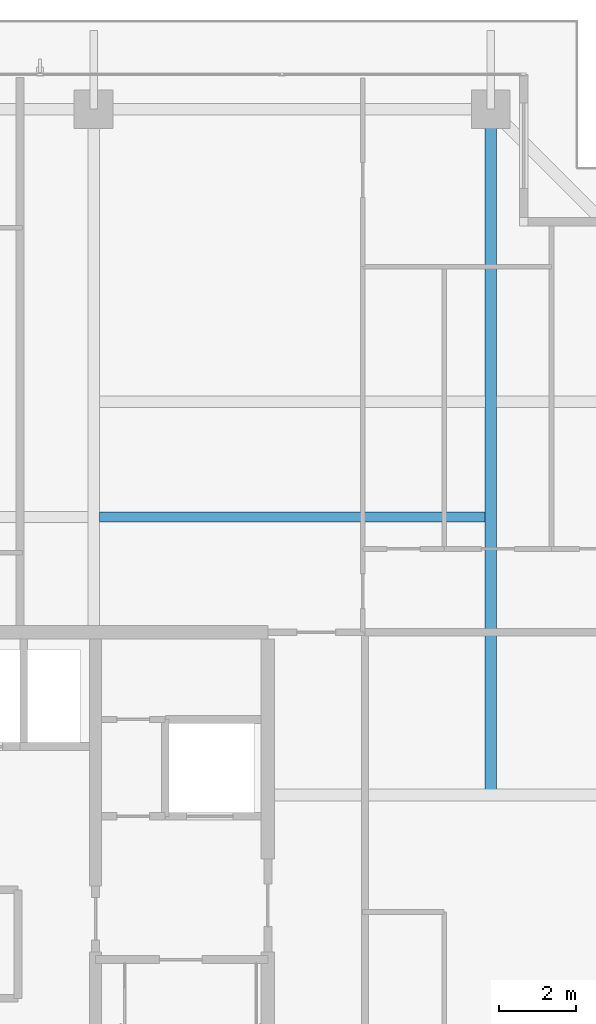
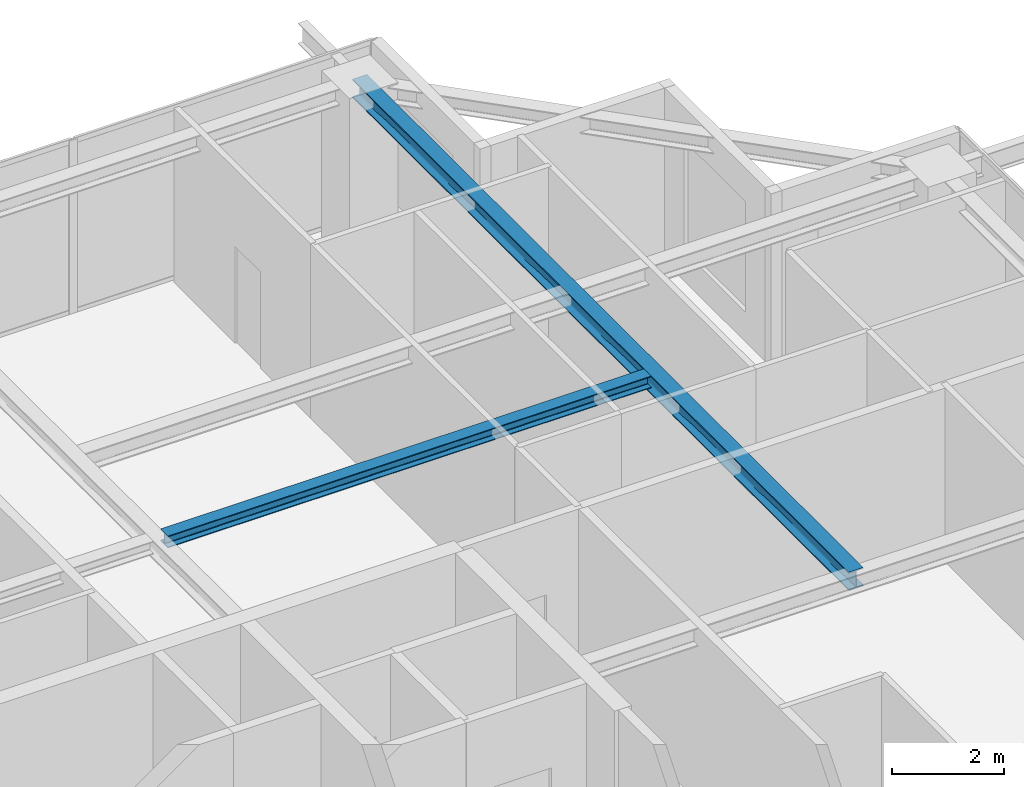
# One storey, part 24 of 41: 2 beams.
"""IFC4 building model written with IfcOpenShell, lengths in metres."""

import ifcopenshell
import ifcopenshell.guid

model = None  # the IFC model being written
_history = None  # IfcOwnerHistory: only IFC2X3 demands one
_inside = {}  # id of a spatial element -> (the spatial element, [elements in it])
_under = {}  # id of a project, library or spatial element -> (it, [spatial elements below it])
_declared = {}  # id of a project -> (the project, [libraries it declares])
_typed = {}  # id of a type object -> (the type object, [elements of that type])
_made_of = {}  # id of a material, layer set ... -> (it, [elements and type objects made of it])


def new_model(schema):
    """Start an empty IFC model of exactly this schema.

    Asked for "IFC4X3", IfcOpenShell would pick the latest addendum, in which some entities
    have other attributes; the version numbers below select the first issue.
    IFC2X3 requires an IfcOwnerHistory on every rooted entity: one is made here for all.
    """
    global model, _history
    if schema == "IFC4X3":
        model = ifcopenshell.file(schema_version=(4, 3, 0, 0))
    else:
        model = ifcopenshell.file(schema=schema)
    _inside.clear()
    _under.clear()
    _declared.clear()
    _typed.clear()
    _made_of.clear()
    _history = None
    if model.schema == "IFC2X3":
        org = make("IfcOrganization", Name="unknown")
        user = make(
            "IfcPersonAndOrganization",
            ThePerson=make("IfcPerson", FamilyName="unknown"),
            TheOrganization=org,
        )
        app = make(
            "IfcApplication",
            ApplicationDeveloper=org,
            Version="unknown",
            ApplicationFullName="unknown",
            ApplicationIdentifier="unknown",
        )
        _history = make(
            "IfcOwnerHistory",
            OwningUser=user,
            OwningApplication=app,
            ChangeAction="ADDED",
            CreationDate=0,
        )
    return model


def make(cls, **values):
    """One entity of the class cls with the attributes given. An attribute that is None is left unset."""
    return model.create_entity(
        cls, **{name: value for name, value in values.items() if value is not None}
    )


def rooted(cls, **values):
    """An entity with a GlobalId (a new one), such as an element, a storey or a relation."""
    return make(cls, GlobalId=ifcopenshell.guid.new(), OwnerHistory=_history, **values)


def si_unit(unit_type, name, prefix=None):
    """IfcSIUnit, for example si_unit("LENGTHUNIT", "METRE", prefix="MILLI")."""
    return make("IfcSIUnit", UnitType=unit_type, Prefix=prefix, Name=name)


def assignment(units):
    """IfcUnitAssignment: the units of a project."""
    return None if units is None else make("IfcUnitAssignment", Units=units)


def point(xyz):
    """IfcCartesianPoint."""
    return None if xyz is None else make("IfcCartesianPoint", Coordinates=xyz)


def direction(xyz):
    """IfcDirection."""
    return None if xyz is None else make("IfcDirection", DirectionRatios=xyz)


def frame(location, z_axis=None, x_axis=None):
    """IfcAxis2Placement3D, a coordinate frame: its origin and axes. An axis left out is left unset."""
    return make(
        "IfcAxis2Placement3D",
        Location=point(location),
        Axis=direction(z_axis),
        RefDirection=direction(x_axis),
    )


def frame_2d(location, x_axis=None):
    """IfcAxis2Placement2D, a coordinate frame in the plane: its origin and x axis."""
    return make(
        "IfcAxis2Placement2D", Location=point(location), RefDirection=direction(x_axis)
    )


def origin():
    """The frame at (0, 0, 0) with its axes left unset."""
    return frame((0.0, 0.0, 0.0))


def origin_2d():
    """The frame at (0, 0) in the plane with its x axis left unset."""
    return frame_2d((0.0, 0.0))


def place(relative_to, where):
    """IfcLocalPlacement: puts the frame where relative to a parent placement (None: the world)."""
    return make(
        "IfcLocalPlacement", PlacementRelTo=relative_to, RelativePlacement=where
    )


def context(
    kind, dimensions, precision=None, world=None, true_north=None, identifier=None
):
    """IfcGeometricRepresentationContext, for example the 3D "Model" context."""
    return make(
        "IfcGeometricRepresentationContext",
        ContextIdentifier=identifier,
        ContextType=kind,
        CoordinateSpaceDimension=dimensions,
        Precision=precision,
        WorldCoordinateSystem=world,
        TrueNorth=true_north,
    )


def subcontext(parent, identifier, kind, view, scale=None):
    """IfcGeometricRepresentationSubContext, for example "Body" below "Model"."""
    return make(
        "IfcGeometricRepresentationSubContext",
        ContextIdentifier=identifier,
        ContextType=kind,
        ParentContext=parent,
        TargetScale=scale,
        TargetView=view,
    )


def project(units=None, contexts=None):
    """IfcProject with its units and contexts."""
    return rooted(
        "IfcProject",
        Name="project",
        RepresentationContexts=contexts,
        UnitsInContext=assignment(units),
    )


def spatial(cls, under=None, at=None, **own):
    """A site, building, storey or space (cls), placed at a placement, below another one or the project."""
    s = rooted(cls, ObjectPlacement=at, **own)
    if under is not None:
        _under.setdefault(under.id(), (under, []))[1].append(s)
    return s


def profile(cls, at=None, kind="AREA", **sizes):
    """A parametric profile (cls). Its sizes go by their IFC names, for example OverallWidth=200.0."""
    return make(cls, ProfileType=kind, Position=at, **sizes)


def i_section(**sizes):
    """IfcIShapeProfileDef."""
    return profile("IfcIShapeProfileDef", **sizes)


def extrude(swept, where, along, depth):
    """IfcExtrudedAreaSolid: the profile swept, set in the frame where, extruded along a direction by depth."""
    return make(
        "IfcExtrudedAreaSolid",
        SweptArea=swept,
        Position=where,
        ExtrudedDirection=direction(along),
        Depth=depth,
    )


def shape(context_of_items, identifier, shape_type, items):
    """IfcShapeRepresentation: the items that make up one representation, for example the "Body"."""
    return make(
        "IfcShapeRepresentation",
        ContextOfItems=context_of_items,
        RepresentationIdentifier=identifier,
        RepresentationType=shape_type,
        Items=items,
    )


def source(mapping_origin, context_of_items, identifier, shape_type, items):
    """IfcRepresentationMap: a shape defined once, which mapped items show again and again."""
    return make(
        "IfcRepresentationMap",
        MappingOrigin=mapping_origin,
        MappedRepresentation=shape(context_of_items, identifier, shape_type, items),
    )


def transform(
    local_origin,
    x_axis=None,
    y_axis=None,
    z_axis=None,
    scale=None,
    scale2=None,
    scale3=None,
    uniform=True,
):
    """IfcCartesianTransformationOperator3D, or its non-uniform kind. x_axis, y_axis, z_axis: its Axis1, 2, 3."""
    if uniform:
        return make(
            "IfcCartesianTransformationOperator3D",
            Axis1=direction(x_axis),
            Axis2=direction(y_axis),
            LocalOrigin=point(local_origin),
            Scale=scale,
            Axis3=direction(z_axis),
        )
    return make(
        "IfcCartesianTransformationOperator3DnonUniform",
        Axis1=direction(x_axis),
        Axis2=direction(y_axis),
        LocalOrigin=point(local_origin),
        Scale=scale,
        Axis3=direction(z_axis),
        Scale2=scale2,
        Scale3=scale3,
    )


def mapped(mapping_source, mapping_target):
    """IfcMappedItem: shows the shape of a source again, moved by a transform."""
    return make(
        "IfcMappedItem", MappingSource=mapping_source, MappingTarget=mapping_target
    )


def material(Name=None, Category=None):
    """IfcMaterial."""
    return make("IfcMaterial", Name=Name, Category=Category)


def material_profile(
    of_material, cross_section, Name=None, Category=None, Priority=None
):
    """IfcMaterialProfile: a cross section and its material."""
    return make(
        "IfcMaterialProfile",
        Name=Name,
        Material=of_material,
        Profile=cross_section,
        Priority=Priority,
        Category=Category,
    )


def profile_set(profiles, Name=None, composite=None):
    """IfcMaterialProfileSet."""
    return make(
        "IfcMaterialProfileSet",
        Name=Name,
        MaterialProfiles=profiles,
        CompositeProfile=composite,
    )


def made_of(thing, what):
    """Note that an element or type object is made of a material, layer set ...; save() writes the relation."""
    if what is not None:
        _made_of.setdefault(what.id(), (what, []))[1].append(thing)
    return thing


def type_object(cls, material=None, **own):
    """A type object (cls), such as IfcWallType, which elements share."""
    return made_of(rooted(cls, **own), material)


def element(
    cls,
    number,
    at=None,
    inside=None,
    cuts=None,
    type_object=None,
    material=None,
    context=None,
    identifier="Body",
    shape_type=None,
    held_by="IfcProductDefinitionShape",
    body=None,
    shapes=None,
    **own,
):
    """One element of the class cls, such as IfcWall. Its Tag is "e" and its number.

    at: its placement. inside: the storey or other place that contains it. cuts: it is an
    opening in that element (IfcRelVoidsElement). A single representation is given by context,
    identifier, shape_type and body (its items); several are given by shapes. held_by: the class
    of the entity that holds the representations. save() writes the other relations.
    """
    e = rooted(cls, Tag="e%d" % number, ObjectPlacement=at, **own)
    if body is not None:
        shapes = [shape(context, identifier, shape_type, body)]
    if shapes is not None:
        e.Representation = make(held_by, Representations=shapes)
    if inside is not None:
        _inside.setdefault(inside.id(), (inside, []))[1].append(e)
    if cuts is not None:
        rooted(
            "IfcRelVoidsElement", RelatingBuildingElement=cuts, RelatedOpeningElement=e
        )
    if type_object is not None:
        _typed.setdefault(type_object.id(), (type_object, []))[1].append(e)
    return made_of(e, material)


def aggregate(whole, parts):
    """IfcRelAggregates: a whole, such as a stair, and the parts it consists of."""
    return rooted("IfcRelAggregates", RelatingObject=whole, RelatedObjects=parts)


def save(model, path):
    """Write the relations noted so far, then the file.

    IfcRelAggregates (storeys below a building ...), IfcRelContainedInSpatialStructure (elements
    in a storey), IfcRelDefinesByType, IfcRelAssociatesMaterial and IfcRelDeclares: one each for
    every whole, place, type object, material and project.
    """
    for whole, parts in _under.values():
        aggregate(whole, parts)
    for where, things in _inside.values():
        rooted(
            "IfcRelContainedInSpatialStructure",
            RelatedElements=things,
            RelatingStructure=where,
        )
    for kind, things in _typed.values():
        rooted("IfcRelDefinesByType", RelatedObjects=things, RelatingType=kind)
    for what, things in _made_of.values():
        rooted("IfcRelAssociatesMaterial", RelatedObjects=things, RelatingMaterial=what)
    for by, libraries in _declared.values():
        rooted("IfcRelDeclares", RelatingContext=by, RelatedDefinitions=libraries)
    model.write(path)


model = new_model("IFC4")

# Units and contexts
model_context = context("Model", 3, precision=1e-05, world=origin(), true_north=direction((0.0, 1.0)))
body_context = subcontext(model_context, "Body", "Model", "MODEL_VIEW")
ifc_project = project(units=[si_unit("LENGTHUNIT", "METRE"), si_unit("AREAUNIT", "SQUARE_METRE"), si_unit("VOLUMEUNIT", "CUBIC_METRE"), si_unit("PLANEANGLEUNIT", "RADIAN"), si_unit("MASSUNIT", "GRAM", prefix="KILO")], contexts=[model_context])

# Site, building, storey
site_placement = place(None, origin())
site = spatial("IfcSite", under=ifc_project, at=site_placement, CompositionType="ELEMENT")
building_placement = place(site_placement, origin())
building = spatial("IfcBuilding", under=site, at=building_placement, Name="Serunith Strait Residences", CompositionType="ELEMENT")
storey_placement = place(building_placement, frame((0.0, 0.0, 301.550048828125)))
storey = spatial("IfcBuildingStorey", under=building, at=storey_placement, Name="L75", CompositionType="ELEMENT", Elevation=301.550048828125)

# Beams
ifc_material = material(Name="Steel S355J2", Category="steel")
ifc_material_profile_1 = material_profile(ifc_material, i_section(OverallWidth=0.300048828125, OverallDepth=0.39990234375, WebThickness=0.013427734375, FlangeThickness=0.02392578125, FilletRadius=0.027099609375, at=origin_2d()), Name="HEB 400")
ifc_profile_set_1 = profile_set([ifc_material_profile_1], Name="Steel S355J2")
beam_type_1 = type_object("IfcBeamType", Name="BM-HEB400", PredefinedType="BEAM", material=ifc_profile_set_1)
shared_shape_1 = source(origin(), body_context, "Body", "SweptSolid", [
    extrude(i_section(OverallWidth=0.300048828125, OverallDepth=0.39990234375, WebThickness=0.013427734375, FlangeThickness=0.02392578125, FilletRadius=0.027099609375, at=origin_2d()), origin(), (0.0, 0.0, 1.0), 17.7001953125),
])
beam_1_placement = place(storey_placement, frame((47.14990234375, 29.39990234375, 3.5869140625), z_axis=(0.0, 1.0, 0.0), x_axis=(-1.0, 0.0, 0.0)))
element("IfcBeam", 1, at=beam_1_placement, inside=storey, type_object=beam_type_1, Name="L75 Orthogonal Corner Girder TC-N4", PredefinedType="BEAM", context=body_context, shape_type="MappedRepresentation", body=[
    mapped(shared_shape_1, transform((0.0, 0.0, 0.0), scale=1.0)),
])
ifc_material_profile_2 = material_profile(ifc_material, i_section(OverallWidth=0.260009765625, OverallDepth=0.260009765625, WebThickness=0.010009765625, FlangeThickness=0.017578125, FilletRadius=0.02392578125, at=origin_2d()), Name="HEB 260")
ifc_profile_set_2 = profile_set([ifc_material_profile_2], Name="Steel S355J2")
beam_type_2 = type_object("IfcBeamType", Name="BM-HEB260", PredefinedType="JOIST", material=ifc_profile_set_2)
shared_shape_2 = source(origin(), body_context, "Body", "SweptSolid", [
    extrude(i_section(OverallWidth=0.260009765625, OverallDepth=0.260009765625, WebThickness=0.010009765625, FlangeThickness=0.017578125, FilletRadius=0.02392578125, at=origin_2d()), origin(), (0.0, 0.0, 1.0), 9.949951171875),
])
beam_2_placement = place(storey_placement, frame((37.050048828125, 36.574951171875, 3.656982421875), z_axis=(1.0, 0.0, 0.0), x_axis=(0.0, 1.0, 0.0)))
element("IfcBeam", 2, at=beam_2_placement, inside=storey, type_object=beam_type_2, Name="L75 Composite Floor Joist 06", PredefinedType="JOIST", context=body_context, shape_type="MappedRepresentation", body=[
    mapped(shared_shape_2, transform((0.0, 0.0, 0.0), scale=1.0)),
])

save(model, "model.ifc")
